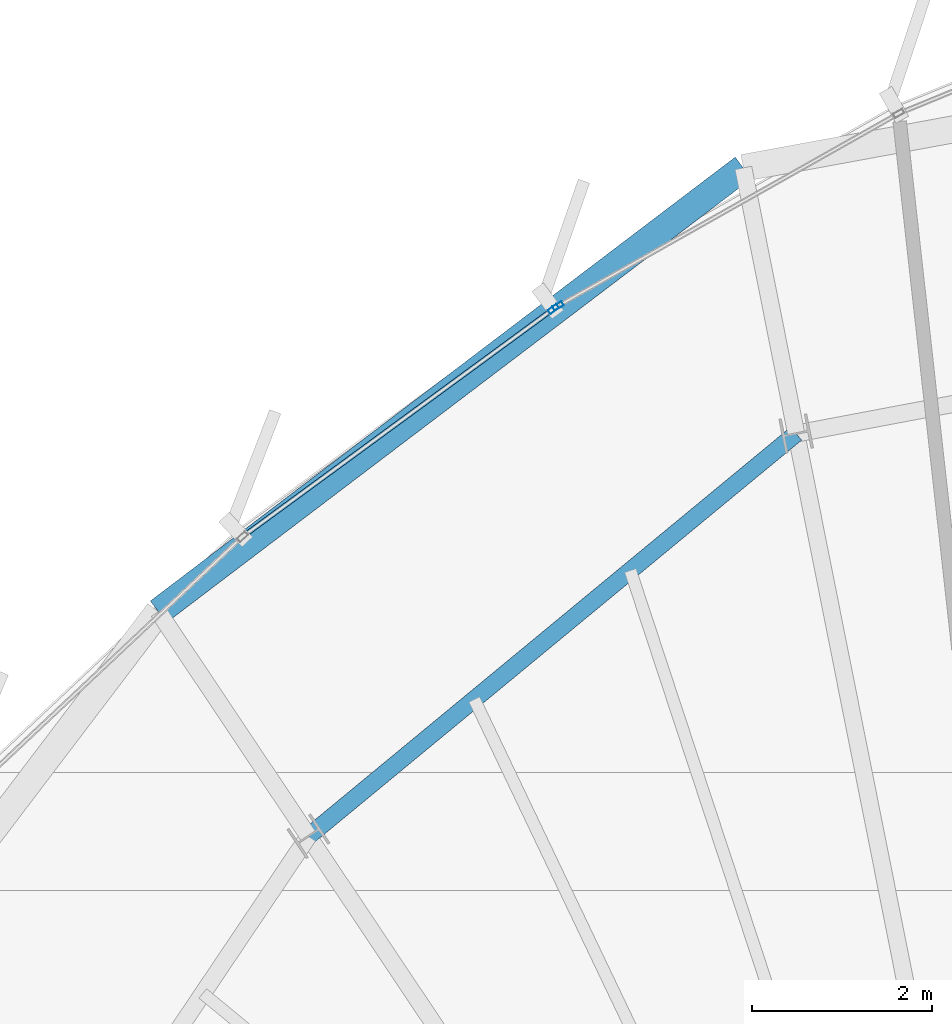
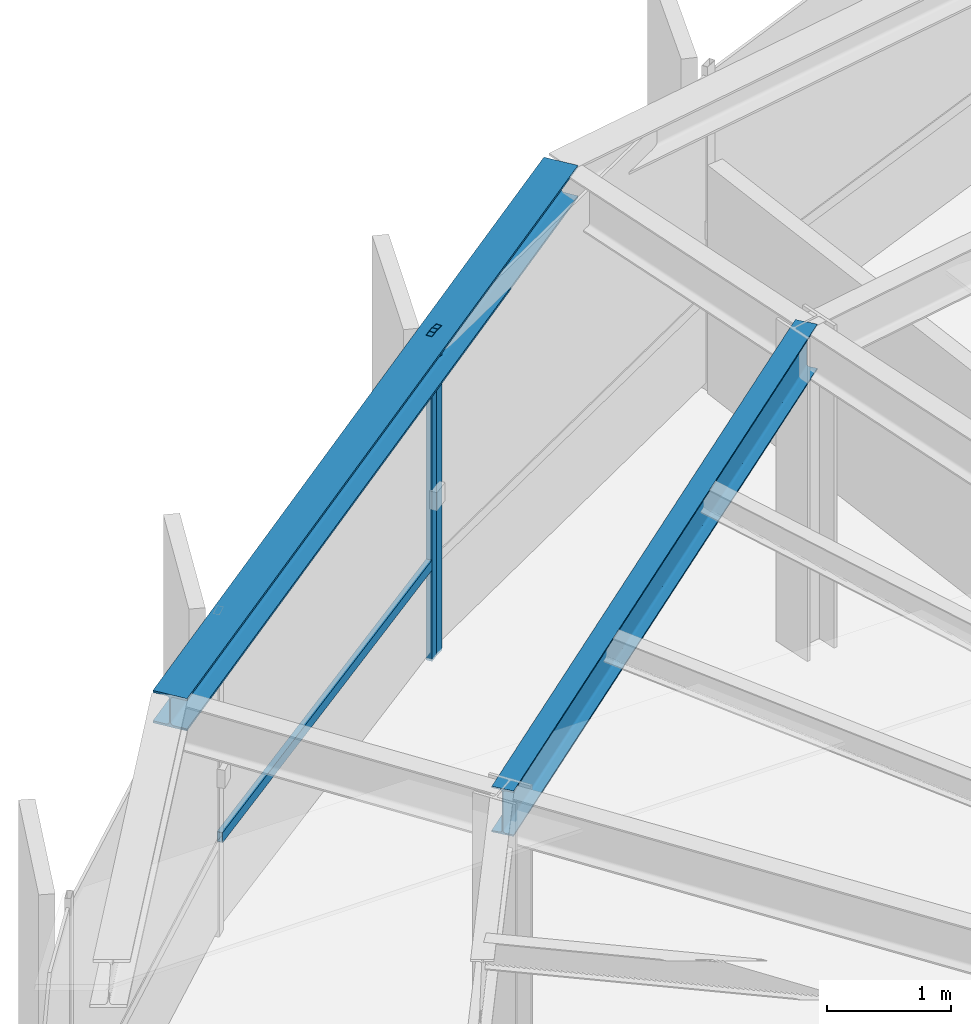
# One storey, part 20 of 33: 3 members, 2 beams, 2 elements without a shape of their own.
"""IFC4 building model written with IfcOpenShell, lengths in metres."""

from ifc_helpers import new_model, si_unit, direction, frame, origin, origin_2d, place, context, subcontext, project, spatial, hollow_rectangle, i_section, extrude, source, transform, mapped, material, layer, layer_set, material_profile, profile_set, type_object, element, aggregate, save


model = new_model("IFC4")

# Units and contexts
model_context = context("Model", 3, precision=1e-05, world=origin(), true_north=direction((0.0, 1.0)))
body_context = subcontext(model_context, "Body", "Model", "MODEL_VIEW")
ifc_project = project(units=[si_unit("LENGTHUNIT", "METRE"), si_unit("AREAUNIT", "SQUARE_METRE"), si_unit("VOLUMEUNIT", "CUBIC_METRE"), si_unit("PLANEANGLEUNIT", "RADIAN"), si_unit("MASSUNIT", "GRAM", prefix="KILO"), si_unit("THERMODYNAMICTEMPERATUREUNIT", "KELVIN")], contexts=[model_context])

# Site, building, storey
site_placement = place(None, origin())
site = spatial("IfcSite", under=ifc_project, at=site_placement, CompositionType="ELEMENT")
building_placement = place(site_placement, origin())
building = spatial("IfcBuilding", under=site, at=building_placement, Name="Kethvar Cultural Tower", CompositionType="ELEMENT")
storey_placement = place(building_placement, frame((0.0, 0.0, 256.0)))
storey = spatial("IfcBuildingStorey", under=building, at=storey_placement, Name="L67", CompositionType="ELEMENT", Elevation=256.0)

# Beams
ifc_material_1 = material(Name="Steel S355J2", Category="steel")
ifc_material_profile_1 = material_profile(ifc_material_1, i_section(OverallWidth=0.18994140625, OverallDepth=0.449951171875, WebThickness=0.009521484375, FlangeThickness=0.0146484375, FilletRadius=0.02099609375, at=origin_2d()), Name="Steel S355J2 — IPE450")
ifc_profile_set_1 = profile_set([ifc_material_profile_1], Name="Steel S355J2 — IPE450")
beam_type_1 = type_object("IfcBeamType", Name="BM-IPE450", PredefinedType="BEAM", material=ifc_profile_set_1)
shared_shape_1 = source(origin(), body_context, "Body", "SweptSolid", [
    extrude(i_section(OverallWidth=0.18994140625, OverallDepth=0.449951171875, WebThickness=0.009521484375, FlangeThickness=0.0146484375, FilletRadius=0.02099609375, at=origin_2d()), origin(), (0.0, 0.0, 1.0), 7.03271484375),
])
beam_1_placement = place(storey_placement, frame((43.23291015625, 45.732421875, 2.98291015625), z_axis=(-0.771161072103, -0.636640087391, 0.0), x_axis=(0.636640087391, -0.771161072103, 0.0)))
element("IfcBeam", 1, at=beam_1_placement, inside=storey, type_object=beam_type_1, Name="L67 Column Ring Tie Beam CR-05", PredefinedType="BEAM", context=body_context, shape_type="MappedRepresentation", body=[
    mapped(shared_shape_1, transform((0.0, 0.0, 0.0), scale=1.0)),
])
ifc_material_profile_2 = material_profile(ifc_material_1, i_section(OverallWidth=0.300048828125, OverallDepth=0.320068359375, WebThickness=0.011474609375, FlangeThickness=0.0205078125, FilletRadius=0.027099609375, at=origin_2d()), Name="Steel S355J2 — HEB320")
ifc_profile_set_2 = profile_set([ifc_material_profile_2], Name="Steel S355J2 — HEB320")
beam_type_2 = type_object("IfcBeamType", Name="BM-SP320", PredefinedType="SPANDREL", material=ifc_profile_set_2)
shared_shape_2 = source(origin(), body_context, "Body", "SweptSolid", [
    extrude(i_section(OverallWidth=0.300048828125, OverallDepth=0.320068359375, WebThickness=0.011474609375, FlangeThickness=0.0205078125, FilletRadius=0.027099609375, at=origin_2d()), origin(), (0.0, 0.0, 1.0), 8.1640625),
])
beam_2_placement = place(storey_placement, frame((42.645263671875, 48.6865234375, 3.048095703125), z_axis=(-0.796592451723, -0.604516720909, 0.0), x_axis=(0.604516720909, -0.796592451723, 0.0)))
element("IfcBeam", 2, at=beam_2_placement, inside=storey, type_object=beam_type_2, Name="L67 Perimeter Spandrel Beam SP-05", PredefinedType="SPANDREL", context=body_context, shape_type="MappedRepresentation", body=[
    mapped(shared_shape_2, transform((0.0, 0.0, 0.0), scale=1.0)),
])

# Curtain wall, member
ifc_material_2 = material(Name="Aluminium 6063-T6", Category="aluminium")
ifc_layer = layer(ifc_material_2, 0.179931640625, Name="Aluminium 6063-T6", Category="aluminium")
ifc_layer_set = layer_set([ifc_layer], Name="Aluminium 6063-T6 (180 mm)")
curtain_wall_type = type_object("IfcCurtainWallType", Name="CW-SYS-05-Z56", PredefinedType="NOTDEFINED", material=ifc_layer_set)
curtain_wall_1_placement = place(storey_placement, origin())
curtain_wall_1 = element("IfcCurtainWall", 3, at=curtain_wall_1_placement, inside=storey, type_object=curtain_wall_type, Name="L67 Curtain Wall Run 01", PredefinedType="NOTDEFINED")
ifc_material_profile_3 = material_profile(ifc_material_2, hollow_rectangle(XDim=0.054931640625, YDim=0.1201171875, WallThickness=0.00390625, at=origin_2d()), Name="Aluminium 6063-T6 — RHS120x55x4")
ifc_profile_set_3 = profile_set([ifc_material_profile_3], Name="Aluminium 6063-T6 — RHS120x55x4")
member_type_1 = type_object("IfcMemberType", Name="CW-SYS-05-Z56-MUL", PredefinedType="MULLION", material=ifc_profile_set_3)
shared_shape_3 = source(origin(), body_context, "Body", "SweptSolid", [
    extrude(hollow_rectangle(XDim=0.054931640625, YDim=0.1201171875, WallThickness=0.00390625, at=origin_2d()), origin(), (0.0, 0.0, 1.0), 3.2099609375),
])
member_1_placement = place(storey_placement, frame((40.585205078125, 47.152099609375, 0.0), z_axis=(0.0, 0.0, 1.0), x_axis=(0.491922189561, -0.870639167174, 0.0)))
member_1 = element("IfcMember", 4, at=member_1_placement, type_object=member_type_1, Name="CW-L67-R01 Mullion 7", PredefinedType="MULLION", context=body_context, shape_type="MappedRepresentation", body=[
    mapped(shared_shape_3, transform((0.0, 0.0, 0.0), scale=1.0)),
])
aggregate(curtain_wall_1, [member_1])

# Curtain wall, members
curtain_wall_2_placement = place(storey_placement, origin())
curtain_wall_2 = element("IfcCurtainWall", 5, at=curtain_wall_2_placement, inside=storey, type_object=curtain_wall_type, Name="L67 Curtain Wall Run 02", PredefinedType="NOTDEFINED")
member_2_placement = place(storey_placement, frame((40.535400390625, 47.11962890625, 0.0), z_axis=(0.0, 0.0, 1.0), x_axis=(0.591042188698, -0.806640645628, 0.0)))
member_2 = element("IfcMember", 6, at=member_2_placement, type_object=member_type_1, Name="CW-L67-R02 Mullion 1", PredefinedType="MULLION", context=body_context, shape_type="MappedRepresentation", body=[
    mapped(shared_shape_3, transform((0.0, 0.0, 0.0), scale=1.0)),
])
ifc_material_profile_4 = material_profile(ifc_material_2, hollow_rectangle(XDim=0.050048828125, YDim=0.10009765625, WallThickness=0.00390625, at=origin_2d()), Name="Aluminium 6063-T6 — RHS100x50x4")
ifc_profile_set_4 = profile_set([ifc_material_profile_4], Name="Aluminium 6063-T6 — RHS100x50x4")
member_type_2 = type_object("IfcMemberType", Name="CW-SYS-05-Z56-TRN", PredefinedType="USERDEFINED", material=ifc_profile_set_4)
shared_shape_4 = source(origin(), body_context, "Body", "SweptSolid", [
    extrude(hollow_rectangle(XDim=0.050048828125, YDim=0.10009765625, WallThickness=0.00390625, at=origin_2d()), origin(), (0.0, 0.0, 1.0), 4.257080078125),
])
member_3_placement = place(storey_placement, frame((40.5322265625, 47.117431640625, 0.949951171875), z_axis=(-0.806632845644, -0.591052833787, 0.0), x_axis=(0.591052833787, -0.806632845644, 0.0)))
member_3 = element("IfcMember", 7, at=member_3_placement, type_object=member_type_2, Name="CW-L67-R02 Transom 1", ObjectType="TRANSOM", PredefinedType="USERDEFINED", context=body_context, shape_type="MappedRepresentation", body=[
    mapped(shared_shape_4, transform((0.0, 0.0, 0.0), scale=1.0)),
])
aggregate(curtain_wall_2, [member_2, member_3])

save(model, "model.ifc")
